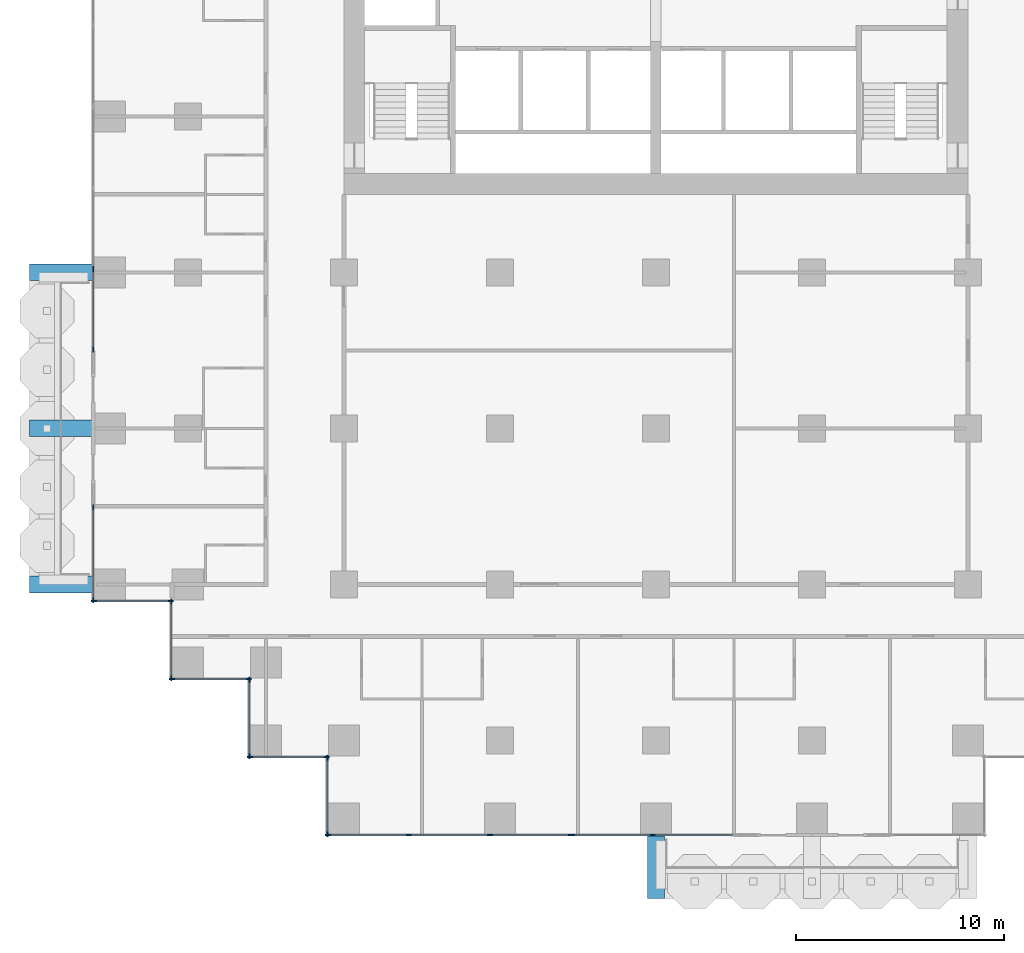
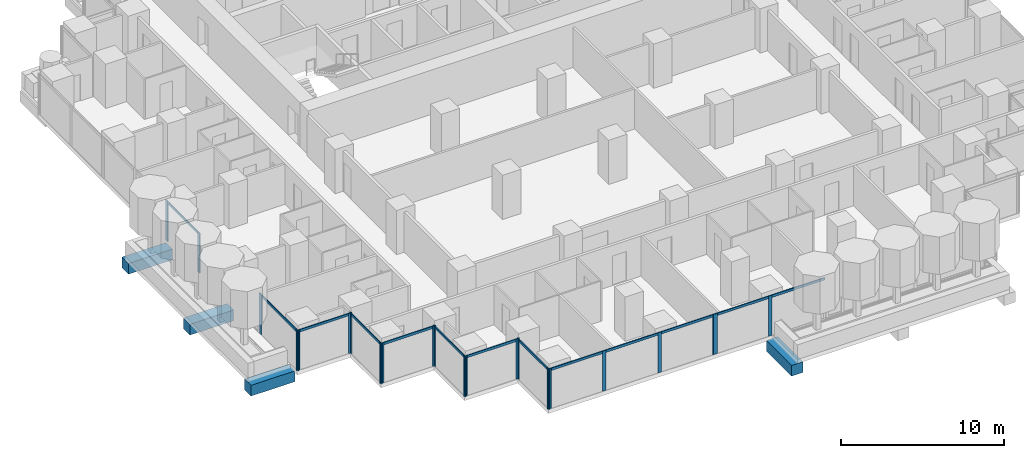
# One storey, part 2 of 19: 35 members, 4 beams, 10 elements without a shape of their own.
"""IFC4 building model written with IfcOpenShell, lengths in metres."""

from ifc_helpers import new_model, si_unit, direction, frame, origin, origin_2d, place, context, subcontext, project, spatial, rectangle, extrude, material, material_profile, profile_set, type_object, element, aggregate, save


model = new_model("IFC4")

# Units and contexts
model_context = context("Model", 3, precision=1e-05, world=origin(), true_north=direction((0.0, 1.0)))
body_context = subcontext(model_context, "Body", "Model", "MODEL_VIEW")
ifc_project = project(units=[si_unit("LENGTHUNIT", "METRE"), si_unit("AREAUNIT", "SQUARE_METRE"), si_unit("VOLUMEUNIT", "CUBIC_METRE"), si_unit("PLANEANGLEUNIT", "RADIAN"), si_unit("MASSUNIT", "GRAM", prefix="KILO")], contexts=[model_context])

# Site, building, storey
site_placement = place(None, origin())
site = spatial("IfcSite", under=ifc_project, at=site_placement, CompositionType="ELEMENT")
building_placement = place(site_placement, origin())
building = spatial("IfcBuilding", under=site, at=building_placement, Name="Pilkhan Gate Tower", CompositionType="ELEMENT")
storey_placement = place(building_placement, frame((0.0, 0.0, 59.300048828125)))
storey = spatial("IfcBuildingStorey", under=building, at=storey_placement, Name="L12", CompositionType="ELEMENT", Elevation=59.300048828125)

# Beams
ifc_material_1 = material(Name="Concrete C50/60", Category="concrete")
ifc_material_profile_1 = material_profile(ifc_material_1, rectangle(XDim=0.800048828125, YDim=0.800048828125, at=origin_2d()), Name="RC 800x800")
ifc_profile_set_1 = profile_set([ifc_material_profile_1], Name="Concrete C50/60")
beam_type = type_object("IfcBeamType", Name="Cantilever beam CB2 RC 800x800 C50/60", PredefinedType="BEAM", material=ifc_profile_set_1)
for number, where, z_axis, x_axis, name in (
    (1, (75.0, 40.5, -0.699951171875), (0.0, -1.0, 0.0), (1.0, 0.0, 0.0), "Balcony beam S.1 L12"),
    (2, (48.0, 52.5, -0.699951171875), (-1.0, 0.0, 0.0), (0.0, -1.0, 0.0), "Balcony beam W.1 L12"),
    (3, (48.0, 60.0, -0.699951171875), (-1.0, 0.0, 0.0), (0.0, -1.0, 0.0), "Balcony beam W.2 L12"),
    (4, (48.0, 67.5, -0.699951171875), (-1.0, 0.0, 0.0), (0.0, -1.0, 0.0), "Balcony beam W.3 L12"),
):
    element("IfcBeam", number, at=place(storey_placement, frame(where, z_axis=z_axis, x_axis=x_axis)), inside=storey, type_object=beam_type, Name=name, PredefinedType="BEAM", context=body_context, shape_type="SweptSolid", body=[
        extrude(rectangle(XDim=0.800048828125, YDim=0.800048828125, at=origin_2d()), origin(), (0.0, 0.0, 1.0), 3.10009765625),
    ])

# Curtain wall, members
ifc_material_2 = material(Name="Pale anodised aluminium, clear low-iron double glazing", Category="aluminium")
curtain_wall_type = type_object("IfcCurtainWallType", Name="Hotel unitised curtain wall CW-H", PredefinedType="USERDEFINED", material=ifc_material_2)
curtain_wall_1_placement = place(storey_placement, origin())
curtain_wall_1 = element("IfcCurtainWall", 5, at=curtain_wall_1_placement, inside=storey, type_object=curtain_wall_type, Name="Hotel unitised curtain wall CW-H L12 W", ObjectType="UNITISED CURTAIN WALL", PredefinedType="USERDEFINED")
ifc_material_3 = material(Name="Pale anodised aluminium", Category="aluminium")
ifc_material_profile_2 = material_profile(ifc_material_3, rectangle(XDim=0.06494140625, YDim=0.25, at=origin_2d()), Name="Mullion 250x65")
ifc_profile_set_2 = profile_set([ifc_material_profile_2], Name="Pale anodised aluminium")
member_type_1 = type_object("IfcMemberType", Name="Mullion CW-H 250x65", PredefinedType="MULLION", material=ifc_profile_set_2)
member_1_placement = place(storey_placement, frame((47.955078125, 51.737548828125, 0.0), z_axis=(0.0, 0.0, 1.0), x_axis=(-1.0, 0.0, 0.0)))
member_1 = element("IfcMember", 6, at=member_1_placement, type_object=member_type_1, Name="CW-H mullion 1", PredefinedType="MULLION", context=body_context, shape_type="SweptSolid", body=[
    extrude(rectangle(XDim=0.06494140625, YDim=0.25, at=origin_2d()), origin(), (0.0, 0.0, 1.0), 3.0),
])
member_2_placement = place(storey_placement, frame((47.955078125, 56.217529296875, 0.0), z_axis=(0.0, 0.0, 1.0), x_axis=(-1.0, 0.0, 0.0)))
member_2 = element("IfcMember", 7, at=member_2_placement, type_object=member_type_1, Name="CW-H mullion 2", PredefinedType="MULLION", context=body_context, shape_type="SweptSolid", body=[
    extrude(rectangle(XDim=0.06494140625, YDim=0.25, at=origin_2d()), origin(), (0.0, 0.0, 1.0), 3.0),
])

curtain_wall_2_placement = place(storey_placement, origin())
curtain_wall_2 = element("IfcCurtainWall", 8, at=curtain_wall_2_placement, inside=storey, type_object=curtain_wall_type, Name="Hotel unitised curtain wall CW-H L12 W", ObjectType="UNITISED CURTAIN WALL", PredefinedType="USERDEFINED")
member_3_placement = place(storey_placement, frame((47.955078125, 63.782470703125, 0.0), z_axis=(0.0, 0.0, 1.0), x_axis=(-1.0, 0.0, 0.0)))
member_3 = element("IfcMember", 9, at=member_3_placement, type_object=member_type_1, Name="CW-H mullion 1", PredefinedType="MULLION", context=body_context, shape_type="SweptSolid", body=[
    extrude(rectangle(XDim=0.06494140625, YDim=0.25, at=origin_2d()), origin(), (0.0, 0.0, 1.0), 3.0),
])
member_4_placement = place(storey_placement, frame((47.955078125, 67.658935546875, 0.0), z_axis=(0.0, 0.0, 1.0), x_axis=(-1.0, 0.0, 0.0)))
member_4 = element("IfcMember", 10, at=member_4_placement, type_object=member_type_1, Name="CW-H mullion 2", PredefinedType="MULLION", context=body_context, shape_type="SweptSolid", body=[
    extrude(rectangle(XDim=0.06494140625, YDim=0.25, at=origin_2d()), origin(), (0.0, 0.0, 1.0), 3.0),
])

curtain_wall_3_placement = place(storey_placement, origin())
curtain_wall_3 = element("IfcCurtainWall", 11, at=curtain_wall_3_placement, inside=storey, type_object=curtain_wall_type, Name="Hotel unitised curtain wall CW-H L12 S", ObjectType="UNITISED CURTAIN WALL", PredefinedType="USERDEFINED")
member_5_placement = place(storey_placement, frame((47.987548828125, 51.705078125, 0.0), z_axis=(0.0, 0.0, 1.0), x_axis=(0.0, 1.0, 0.0)))
member_5 = element("IfcMember", 12, at=member_5_placement, type_object=member_type_1, Name="CW-H mullion 1", PredefinedType="MULLION", context=body_context, shape_type="SweptSolid", body=[
    extrude(rectangle(XDim=0.06494140625, YDim=0.25, at=origin_2d()), origin(), (0.0, 0.0, 1.0), 3.0),
])
member_6_placement = place(storey_placement, frame((51.672607421875, 51.705078125, 0.0), z_axis=(0.0, 0.0, 1.0), x_axis=(0.0, 1.0, 0.0)))
member_6 = element("IfcMember", 13, at=member_6_placement, type_object=member_type_1, Name="CW-H mullion 2", PredefinedType="MULLION", context=body_context, shape_type="SweptSolid", body=[
    extrude(rectangle(XDim=0.06494140625, YDim=0.25, at=origin_2d()), origin(), (0.0, 0.0, 1.0), 3.0),
])

curtain_wall_4_placement = place(storey_placement, origin())
curtain_wall_4 = element("IfcCurtainWall", 14, at=curtain_wall_4_placement, inside=storey, type_object=curtain_wall_type, Name="Hotel unitised curtain wall CW-H L12 W", ObjectType="UNITISED CURTAIN WALL", PredefinedType="USERDEFINED")
member_7_placement = place(storey_placement, frame((51.705078125, 47.987548828125, 0.0), z_axis=(0.0, 0.0, 1.0), x_axis=(-1.0, 0.0, 0.0)))
member_7 = element("IfcMember", 15, at=member_7_placement, type_object=member_type_1, Name="CW-H mullion 1", PredefinedType="MULLION", context=body_context, shape_type="SweptSolid", body=[
    extrude(rectangle(XDim=0.06494140625, YDim=0.25, at=origin_2d()), origin(), (0.0, 0.0, 1.0), 3.0),
])
member_8_placement = place(storey_placement, frame((51.705078125, 51.672607421875, 0.0), z_axis=(0.0, 0.0, 1.0), x_axis=(-1.0, 0.0, 0.0)))
member_8 = element("IfcMember", 16, at=member_8_placement, type_object=member_type_1, Name="CW-H mullion 2", PredefinedType="MULLION", context=body_context, shape_type="SweptSolid", body=[
    extrude(rectangle(XDim=0.06494140625, YDim=0.25, at=origin_2d()), origin(), (0.0, 0.0, 1.0), 3.0),
])

curtain_wall_5_placement = place(storey_placement, origin())
curtain_wall_5 = element("IfcCurtainWall", 17, at=curtain_wall_5_placement, inside=storey, type_object=curtain_wall_type, Name="Hotel unitised curtain wall CW-H L12 S", ObjectType="UNITISED CURTAIN WALL", PredefinedType="USERDEFINED")
member_9_placement = place(storey_placement, frame((51.737548828125, 47.955078125, 0.0), z_axis=(0.0, 0.0, 1.0), x_axis=(0.0, 1.0, 0.0)))
member_9 = element("IfcMember", 18, at=member_9_placement, type_object=member_type_1, Name="CW-H mullion 1", PredefinedType="MULLION", context=body_context, shape_type="SweptSolid", body=[
    extrude(rectangle(XDim=0.06494140625, YDim=0.25, at=origin_2d()), origin(), (0.0, 0.0, 1.0), 3.0),
])
member_10_placement = place(storey_placement, frame((55.422607421875, 47.955078125, 0.0), z_axis=(0.0, 0.0, 1.0), x_axis=(0.0, 1.0, 0.0)))
member_10 = element("IfcMember", 19, at=member_10_placement, type_object=member_type_1, Name="CW-H mullion 2", PredefinedType="MULLION", context=body_context, shape_type="SweptSolid", body=[
    extrude(rectangle(XDim=0.06494140625, YDim=0.25, at=origin_2d()), origin(), (0.0, 0.0, 1.0), 3.0),
])

curtain_wall_6_placement = place(storey_placement, origin())
curtain_wall_6 = element("IfcCurtainWall", 20, at=curtain_wall_6_placement, inside=storey, type_object=curtain_wall_type, Name="Hotel unitised curtain wall CW-H L12 W", ObjectType="UNITISED CURTAIN WALL", PredefinedType="USERDEFINED")
member_11_placement = place(storey_placement, frame((55.455078125, 44.237548828125, 0.0), z_axis=(0.0, 0.0, 1.0), x_axis=(-1.0, 0.0, 0.0)))
member_11 = element("IfcMember", 21, at=member_11_placement, type_object=member_type_1, Name="CW-H mullion 1", PredefinedType="MULLION", context=body_context, shape_type="SweptSolid", body=[
    extrude(rectangle(XDim=0.06494140625, YDim=0.25, at=origin_2d()), origin(), (0.0, 0.0, 1.0), 3.0),
])
member_12_placement = place(storey_placement, frame((55.455078125, 47.922607421875, 0.0), z_axis=(0.0, 0.0, 1.0), x_axis=(-1.0, 0.0, 0.0)))
member_12 = element("IfcMember", 22, at=member_12_placement, type_object=member_type_1, Name="CW-H mullion 2", PredefinedType="MULLION", context=body_context, shape_type="SweptSolid", body=[
    extrude(rectangle(XDim=0.06494140625, YDim=0.25, at=origin_2d()), origin(), (0.0, 0.0, 1.0), 3.0),
])

curtain_wall_7_placement = place(storey_placement, origin())
curtain_wall_7 = element("IfcCurtainWall", 23, at=curtain_wall_7_placement, inside=storey, type_object=curtain_wall_type, Name="Hotel unitised curtain wall CW-H L12 S", ObjectType="UNITISED CURTAIN WALL", PredefinedType="USERDEFINED")
member_13_placement = place(storey_placement, frame((55.487548828125, 44.205078125, 0.0), z_axis=(0.0, 0.0, 1.0), x_axis=(0.0, 1.0, 0.0)))
member_13 = element("IfcMember", 24, at=member_13_placement, type_object=member_type_1, Name="CW-H mullion 1", PredefinedType="MULLION", context=body_context, shape_type="SweptSolid", body=[
    extrude(rectangle(XDim=0.06494140625, YDim=0.25, at=origin_2d()), origin(), (0.0, 0.0, 1.0), 3.0),
])
member_14_placement = place(storey_placement, frame((59.172607421875, 44.205078125, 0.0), z_axis=(0.0, 0.0, 1.0), x_axis=(0.0, 1.0, 0.0)))
member_14 = element("IfcMember", 25, at=member_14_placement, type_object=member_type_1, Name="CW-H mullion 2", PredefinedType="MULLION", context=body_context, shape_type="SweptSolid", body=[
    extrude(rectangle(XDim=0.06494140625, YDim=0.25, at=origin_2d()), origin(), (0.0, 0.0, 1.0), 3.0),
])

curtain_wall_8_placement = place(storey_placement, origin())
curtain_wall_8 = element("IfcCurtainWall", 26, at=curtain_wall_8_placement, inside=storey, type_object=curtain_wall_type, Name="Hotel unitised curtain wall CW-H L12 W", ObjectType="UNITISED CURTAIN WALL", PredefinedType="USERDEFINED")
member_15_placement = place(storey_placement, frame((59.205078125, 40.487548828125, 0.0), z_axis=(0.0, 0.0, 1.0), x_axis=(-1.0, 0.0, 0.0)))
member_15 = element("IfcMember", 27, at=member_15_placement, type_object=member_type_1, Name="CW-H mullion 1", PredefinedType="MULLION", context=body_context, shape_type="SweptSolid", body=[
    extrude(rectangle(XDim=0.06494140625, YDim=0.25, at=origin_2d()), origin(), (0.0, 0.0, 1.0), 3.0),
])
member_16_placement = place(storey_placement, frame((59.205078125, 44.172607421875, 0.0), z_axis=(0.0, 0.0, 1.0), x_axis=(-1.0, 0.0, 0.0)))
member_16 = element("IfcMember", 28, at=member_16_placement, type_object=member_type_1, Name="CW-H mullion 2", PredefinedType="MULLION", context=body_context, shape_type="SweptSolid", body=[
    extrude(rectangle(XDim=0.06494140625, YDim=0.25, at=origin_2d()), origin(), (0.0, 0.0, 1.0), 3.0),
])

curtain_wall_9_placement = place(storey_placement, origin())
curtain_wall_9 = element("IfcCurtainWall", 29, at=curtain_wall_9_placement, inside=storey, type_object=curtain_wall_type, Name="Hotel unitised curtain wall CW-H L12 S", ObjectType="UNITISED CURTAIN WALL", PredefinedType="USERDEFINED")
member_17_placement = place(storey_placement, frame((59.237548828125, 40.455078125, 0.0), z_axis=(0.0, 0.0, 1.0), x_axis=(0.0, 1.0, 0.0)))
member_17 = element("IfcMember", 30, at=member_17_placement, type_object=member_type_1, Name="CW-H mullion 1", PredefinedType="MULLION", context=body_context, shape_type="SweptSolid", body=[
    extrude(rectangle(XDim=0.06494140625, YDim=0.25, at=origin_2d()), origin(), (0.0, 0.0, 1.0), 3.0),
])
member_18_placement = place(storey_placement, frame((63.114013671875, 40.455078125, 0.0), z_axis=(0.0, 0.0, 1.0), x_axis=(0.0, 1.0, 0.0)))
member_18 = element("IfcMember", 31, at=member_18_placement, type_object=member_type_1, Name="CW-H mullion 2", PredefinedType="MULLION", context=body_context, shape_type="SweptSolid", body=[
    extrude(rectangle(XDim=0.06494140625, YDim=0.25, at=origin_2d()), origin(), (0.0, 0.0, 1.0), 3.0),
])
member_19_placement = place(storey_placement, frame((67.02294921875, 40.455078125, 0.0), z_axis=(0.0, 0.0, 1.0), x_axis=(0.0, 1.0, 0.0)))
member_19 = element("IfcMember", 32, at=member_19_placement, type_object=member_type_1, Name="CW-H mullion 3", PredefinedType="MULLION", context=body_context, shape_type="SweptSolid", body=[
    extrude(rectangle(XDim=0.06494140625, YDim=0.25, at=origin_2d()), origin(), (0.0, 0.0, 1.0), 3.0),
])
member_20_placement = place(storey_placement, frame((70.8994140625, 40.455078125, 0.0), z_axis=(0.0, 0.0, 1.0), x_axis=(0.0, 1.0, 0.0)))
member_20 = element("IfcMember", 33, at=member_20_placement, type_object=member_type_1, Name="CW-H mullion 4", PredefinedType="MULLION", context=body_context, shape_type="SweptSolid", body=[
    extrude(rectangle(XDim=0.06494140625, YDim=0.25, at=origin_2d()), origin(), (0.0, 0.0, 1.0), 3.0),
])

curtain_wall_10_placement = place(storey_placement, origin())
curtain_wall_10 = element("IfcCurtainWall", 34, at=curtain_wall_10_placement, inside=storey, type_object=curtain_wall_type, Name="Hotel unitised curtain wall CW-H L12 S", ObjectType="UNITISED CURTAIN WALL", PredefinedType="USERDEFINED")
member_21_placement = place(storey_placement, frame((70.964599609375, 40.455078125, 0.0), z_axis=(0.0, 0.0, 1.0), x_axis=(0.0, 1.0, 0.0)))
member_21 = element("IfcMember", 35, at=member_21_placement, type_object=member_type_1, Name="CW-H mullion 1", PredefinedType="MULLION", context=body_context, shape_type="SweptSolid", body=[
    extrude(rectangle(XDim=0.06494140625, YDim=0.25, at=origin_2d()), origin(), (0.0, 0.0, 1.0), 3.0),
])
member_22_placement = place(storey_placement, frame((74.841064453125, 40.455078125, 0.0), z_axis=(0.0, 0.0, 1.0), x_axis=(0.0, 1.0, 0.0)))
member_22 = element("IfcMember", 36, at=member_22_placement, type_object=member_type_1, Name="CW-H mullion 2", PredefinedType="MULLION", context=body_context, shape_type="SweptSolid", body=[
    extrude(rectangle(XDim=0.06494140625, YDim=0.25, at=origin_2d()), origin(), (0.0, 0.0, 1.0), 3.0),
])

# Member
ifc_material_profile_3 = material_profile(ifc_material_3, rectangle(XDim=0.06494140625, YDim=0.179931640625, at=origin_2d()), Name="Transom 180x65")
ifc_profile_set_3 = profile_set([ifc_material_profile_3], Name="Pale anodised aluminium")
member_type_2 = type_object("IfcMemberType", Name="Transom CW-H 180x65", PredefinedType="USERDEFINED", material=ifc_profile_set_3)
member_23_placement = place(storey_placement, frame((47.955078125, 51.77001953125, 2.909912109375), z_axis=(0.0, 1.0, 0.0), x_axis=(-1.0, 0.0, 0.0)))
member_23 = element("IfcMember", 37, at=member_23_placement, type_object=member_type_2, Name="CW-H transom 1", ObjectType="TRANSOM", PredefinedType="USERDEFINED", context=body_context, shape_type="SweptSolid", body=[
    extrude(rectangle(XDim=0.06494140625, YDim=0.179931640625, at=origin_2d()), origin(), (0.0, 0.0, 1.0), 4.4150390625),
])

aggregate(curtain_wall_1, [member_1, member_2, member_23])

member_24_placement = place(storey_placement, frame((47.955078125, 63.81494140625, 2.909912109375), z_axis=(0.0, 1.0, 0.0), x_axis=(-1.0, 0.0, 0.0)))
member_24 = element("IfcMember", 38, at=member_24_placement, type_object=member_type_2, Name="CW-H transom 1", ObjectType="TRANSOM", PredefinedType="USERDEFINED", context=body_context, shape_type="SweptSolid", body=[
    extrude(rectangle(XDim=0.06494140625, YDim=0.179931640625, at=origin_2d()), origin(), (0.0, 0.0, 1.0), 3.8115234375),
])

aggregate(curtain_wall_2, [member_3, member_4, member_24])

member_25_placement = place(storey_placement, frame((48.02001953125, 51.705078125, 2.909912109375), z_axis=(1.0, 0.0, 0.0), x_axis=(0.0, 1.0, 0.0)))
member_25 = element("IfcMember", 39, at=member_25_placement, type_object=member_type_2, Name="CW-H transom 1", ObjectType="TRANSOM", PredefinedType="USERDEFINED", context=body_context, shape_type="SweptSolid", body=[
    extrude(rectangle(XDim=0.06494140625, YDim=0.179931640625, at=origin_2d()), origin(), (0.0, 0.0, 1.0), 3.619873046875),
])

aggregate(curtain_wall_3, [member_5, member_6, member_25])

member_26_placement = place(storey_placement, frame((51.705078125, 48.02001953125, 2.909912109375), z_axis=(0.0, 1.0, 0.0), x_axis=(-1.0, 0.0, 0.0)))
member_26 = element("IfcMember", 40, at=member_26_placement, type_object=member_type_2, Name="CW-H transom 1", ObjectType="TRANSOM", PredefinedType="USERDEFINED", context=body_context, shape_type="SweptSolid", body=[
    extrude(rectangle(XDim=0.06494140625, YDim=0.179931640625, at=origin_2d()), origin(), (0.0, 0.0, 1.0), 3.619873046875),
])

aggregate(curtain_wall_4, [member_7, member_8, member_26])

member_27_placement = place(storey_placement, frame((51.77001953125, 47.955078125, 2.909912109375), z_axis=(1.0, 0.0, 0.0), x_axis=(0.0, 1.0, 0.0)))
member_27 = element("IfcMember", 41, at=member_27_placement, type_object=member_type_2, Name="CW-H transom 1", ObjectType="TRANSOM", PredefinedType="USERDEFINED", context=body_context, shape_type="SweptSolid", body=[
    extrude(rectangle(XDim=0.06494140625, YDim=0.179931640625, at=origin_2d()), origin(), (0.0, 0.0, 1.0), 3.619873046875),
])

aggregate(curtain_wall_5, [member_9, member_10, member_27])

member_28_placement = place(storey_placement, frame((55.455078125, 44.27001953125, 2.909912109375), z_axis=(0.0, 1.0, 0.0), x_axis=(-1.0, 0.0, 0.0)))
member_28 = element("IfcMember", 42, at=member_28_placement, type_object=member_type_2, Name="CW-H transom 1", ObjectType="TRANSOM", PredefinedType="USERDEFINED", context=body_context, shape_type="SweptSolid", body=[
    extrude(rectangle(XDim=0.06494140625, YDim=0.179931640625, at=origin_2d()), origin(), (0.0, 0.0, 1.0), 3.619873046875),
])

aggregate(curtain_wall_6, [member_11, member_12, member_28])

member_29_placement = place(storey_placement, frame((55.52001953125, 44.205078125, 2.909912109375), z_axis=(1.0, 0.0, 0.0), x_axis=(0.0, 1.0, 0.0)))
member_29 = element("IfcMember", 43, at=member_29_placement, type_object=member_type_2, Name="CW-H transom 1", ObjectType="TRANSOM", PredefinedType="USERDEFINED", context=body_context, shape_type="SweptSolid", body=[
    extrude(rectangle(XDim=0.06494140625, YDim=0.179931640625, at=origin_2d()), origin(), (0.0, 0.0, 1.0), 3.619873046875),
])

aggregate(curtain_wall_7, [member_13, member_14, member_29])

member_30_placement = place(storey_placement, frame((59.205078125, 40.52001953125, 2.909912109375), z_axis=(0.0, 1.0, 0.0), x_axis=(-1.0, 0.0, 0.0)))
member_30 = element("IfcMember", 44, at=member_30_placement, type_object=member_type_2, Name="CW-H transom 1", ObjectType="TRANSOM", PredefinedType="USERDEFINED", context=body_context, shape_type="SweptSolid", body=[
    extrude(rectangle(XDim=0.06494140625, YDim=0.179931640625, at=origin_2d()), origin(), (0.0, 0.0, 1.0), 3.619873046875),
])

aggregate(curtain_wall_8, [member_15, member_16, member_30])

member_31_placement = place(storey_placement, frame((59.27001953125, 40.455078125, 2.909912109375), z_axis=(1.0, 0.0, 0.0), x_axis=(0.0, 1.0, 0.0)))
member_31 = element("IfcMember", 45, at=member_31_placement, type_object=member_type_2, Name="CW-H transom 1", ObjectType="TRANSOM", PredefinedType="USERDEFINED", context=body_context, shape_type="SweptSolid", body=[
    extrude(rectangle(XDim=0.06494140625, YDim=0.179931640625, at=origin_2d()), origin(), (0.0, 0.0, 1.0), 3.8115234375),
])

member_32_placement = place(storey_placement, frame((63.146484375, 40.455078125, 2.909912109375), z_axis=(1.0, 0.0, 0.0), x_axis=(0.0, 1.0, 0.0)))
member_32 = element("IfcMember", 46, at=member_32_placement, type_object=member_type_2, Name="CW-H transom 2", ObjectType="TRANSOM", PredefinedType="USERDEFINED", context=body_context, shape_type="SweptSolid", body=[
    extrude(rectangle(XDim=0.06494140625, YDim=0.179931640625, at=origin_2d()), origin(), (0.0, 0.0, 1.0), 3.843994140625),
])

member_33_placement = place(storey_placement, frame((67.055419921875, 40.455078125, 2.909912109375), z_axis=(1.0, 0.0, 0.0), x_axis=(0.0, 1.0, 0.0)))
member_33 = element("IfcMember", 47, at=member_33_placement, type_object=member_type_2, Name="CW-H transom 3", ObjectType="TRANSOM", PredefinedType="USERDEFINED", context=body_context, shape_type="SweptSolid", body=[
    extrude(rectangle(XDim=0.06494140625, YDim=0.179931640625, at=origin_2d()), origin(), (0.0, 0.0, 1.0), 3.8115234375),
])

aggregate(curtain_wall_9, [member_17, member_18, member_19, member_20, member_31, member_32, member_33])

member_34_placement = place(storey_placement, frame((70.9970703125, 40.455078125, 2.909912109375), z_axis=(1.0, 0.0, 0.0), x_axis=(0.0, 1.0, 0.0)))
member_34 = element("IfcMember", 48, at=member_34_placement, type_object=member_type_2, Name="CW-H transom 1", ObjectType="TRANSOM", PredefinedType="USERDEFINED", context=body_context, shape_type="SweptSolid", body=[
    extrude(rectangle(XDim=0.06494140625, YDim=0.179931640625, at=origin_2d()), origin(), (0.0, 0.0, 1.0), 3.8115234375),
])

member_35_placement = place(storey_placement, frame((74.87353515625, 40.455078125, 2.909912109375), z_axis=(1.0, 0.0, 0.0), x_axis=(0.0, 1.0, 0.0)))
member_35 = element("IfcMember", 49, at=member_35_placement, type_object=member_type_2, Name="CW-H transom 2", ObjectType="TRANSOM", PredefinedType="USERDEFINED", context=body_context, shape_type="SweptSolid", body=[
    extrude(rectangle(XDim=0.06494140625, YDim=0.179931640625, at=origin_2d()), origin(), (0.0, 0.0, 1.0), 3.8115234375),
])

aggregate(curtain_wall_10, [member_21, member_22, member_34, member_35])

save(model, "model.ifc")
